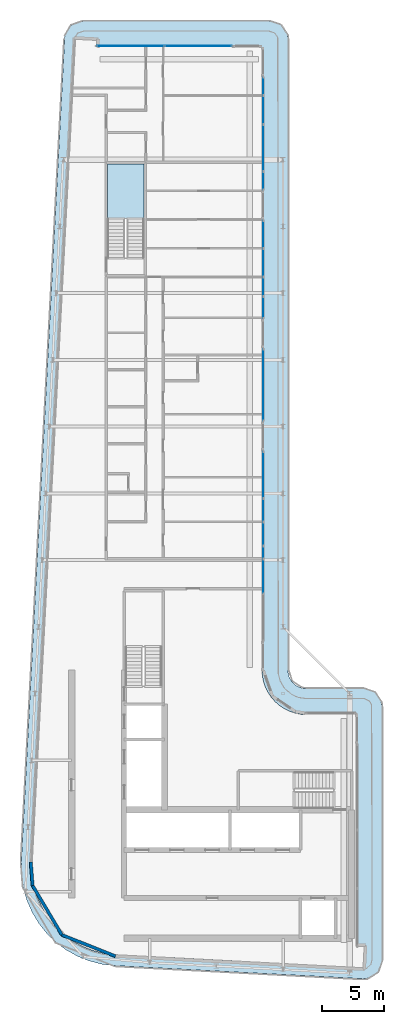
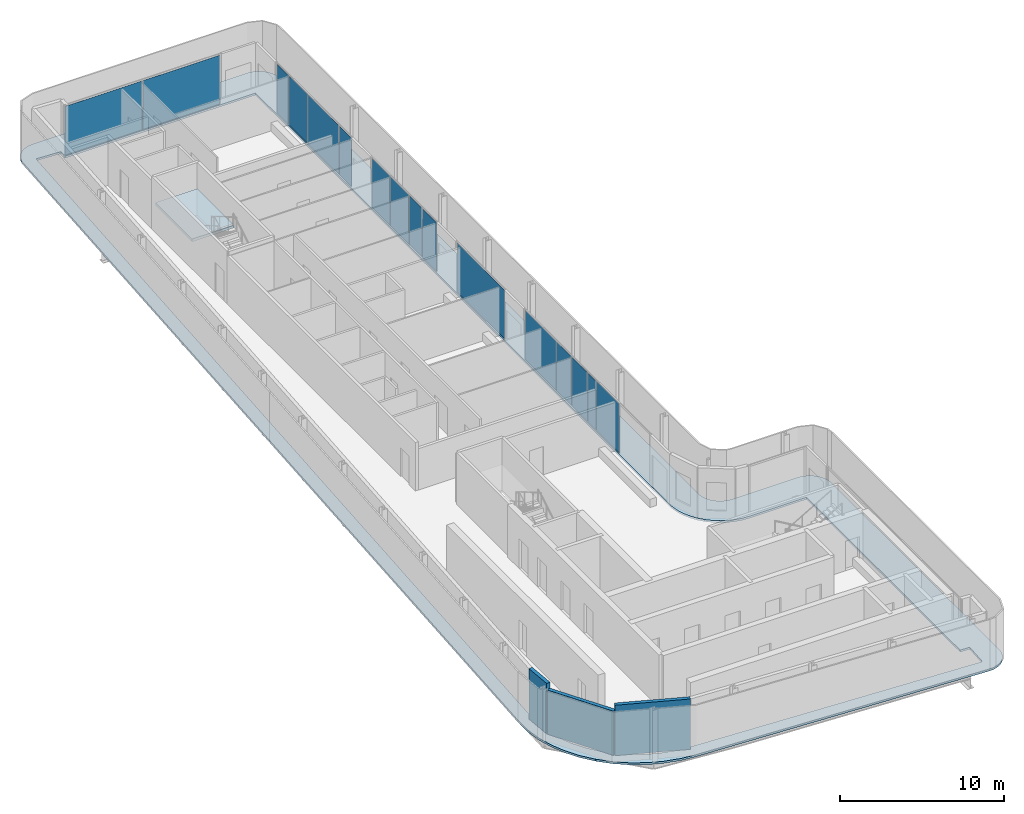
# One storey, part 8 of 18: 16 plates, 3 walls, 2 slabs, 9 elements without a shape of their own.
"""IFC4 building model written with IfcOpenShell, lengths in metres."""

from ifc_helpers import new_model, si_unit, direction, frame, frame_2d, origin, origin_2d, place, context, subcontext, project, spatial, polyline, rectangle, outline, extrude, material, layer, layer_set, type_object, element, aggregate, save


model = new_model("IFC4")

# Units and contexts
model_context = context("Model", 3, precision=1e-05, world=origin(), true_north=direction((0.0, 1.0)))
body_context = subcontext(model_context, "Body", "Model", "MODEL_VIEW")
ifc_project = project(units=[si_unit("LENGTHUNIT", "METRE"), si_unit("AREAUNIT", "SQUARE_METRE"), si_unit("VOLUMEUNIT", "CUBIC_METRE"), si_unit("PLANEANGLEUNIT", "RADIAN"), si_unit("MASSUNIT", "GRAM", prefix="KILO")], contexts=[model_context])

# Site, building, storey
site_placement = place(None, origin())
site = spatial("IfcSite", under=ifc_project, at=site_placement, CompositionType="ELEMENT")
building_placement = place(site_placement, origin())
building = spatial("IfcBuilding", under=site, at=building_placement, Name="Kheshtan School and Residences Tower", CompositionType="ELEMENT")
storey_placement = place(building_placement, frame((0.0, 0.0, 381.199951171875)))
storey = spatial("IfcBuildingStorey", under=building, at=storey_placement, Name="L90", CompositionType="ELEMENT", Elevation=381.199951171875)

# Curtain wall, plates
ifc_material_1 = material(Name="Clear low-e glass in thermally broken aluminium frame", Category="aluminium")
ifc_layer_1 = layer(ifc_material_1, 0.199951171875)
ifc_layer_set_1 = layer_set([ifc_layer_1], Name="Curtain wall CW-L")
curtain_wall_type = type_object("IfcCurtainWallType", Name="Curtain wall CW-L", PredefinedType="NOTDEFINED", material=ifc_layer_set_1)
curtain_wall_1_placement = place(storey_placement, origin())
curtain_wall_1 = element("IfcCurtainWall", 1, at=curtain_wall_1_placement, inside=storey, type_object=curtain_wall_type, Name="Curtain wall CWL7", PredefinedType="NOTDEFINED")
ifc_layer_2 = layer(ifc_material_1, 0.031982421875)
ifc_layer_set_2 = layer_set([ifc_layer_2], Name="CW-L glass panel")
plate_type = type_object("IfcPlateType", Name="CW-L glass panel", PredefinedType="CURTAIN_PANEL", material=ifc_layer_set_2)
plate_1_placement = place(storey_placement, frame((35.259033203125, 98.0, 0.0), z_axis=(0.0, 0.0, 1.0), x_axis=(1.0, 0.0, 0.0)))
plate_1 = element("IfcPlate", 2, at=plate_1_placement, type_object=plate_type, Name="CWL7 panel 1.1", PredefinedType="CURTAIN_PANEL", context=body_context, shape_type="SweptSolid", body=[
    extrude(rectangle(XDim=5.4140625, YDim=0.031982421875, at=origin_2d()), origin(), (0.0, 0.0, 1.0), 3.6298828125),
])
plate_2_placement = place(storey_placement, frame((40.73291015625, 98.0, 0.0), z_axis=(0.0, 0.0, 1.0), x_axis=(1.0, 0.0, 0.0)))
plate_2 = element("IfcPlate", 3, at=plate_2_placement, type_object=plate_type, Name="CWL7 panel 2.1", PredefinedType="CURTAIN_PANEL", context=body_context, shape_type="SweptSolid", body=[
    extrude(rectangle(XDim=5.4140625, YDim=0.031982421875, at=origin_2d()), origin(), (0.0, 0.0, 1.0), 3.6298828125),
])
aggregate(curtain_wall_1, [plate_1, plate_2])

curtain_wall_2_placement = place(storey_placement, origin())
curtain_wall_2 = element("IfcCurtainWall", 4, at=curtain_wall_2_placement, inside=storey, type_object=curtain_wall_type, Name="Curtain wall CWL8c", PredefinedType="NOTDEFINED")
plate_3_placement = place(storey_placement, frame((46.0, 94.735107421875, 0.0), z_axis=(0.0, 0.0, 1.0), x_axis=(0.0, -1.0, 0.0)))
plate_3 = element("IfcPlate", 5, at=plate_3_placement, type_object=plate_type, Name="CWL8c panel 1.1", PredefinedType="CURTAIN_PANEL", context=body_context, shape_type="SweptSolid", body=[
    extrude(rectangle(XDim=1.409912109375, YDim=0.031982421875, at=origin_2d()), origin(), (0.0, 0.0, 1.0), 3.6298828125),
])
plate_4_placement = place(storey_placement, frame((46.0, 92.826416015625, 0.0), z_axis=(0.0, 0.0, 1.0), x_axis=(0.0, -1.0, 0.0)))
plate_4 = element("IfcPlate", 6, at=plate_4_placement, type_object=plate_type, Name="CWL8c panel 2.1", PredefinedType="CURTAIN_PANEL", context=body_context, shape_type="SweptSolid", body=[
    extrude(rectangle(XDim=2.287109375, YDim=0.031982421875, at=origin_2d()), origin(), (0.0, 0.0, 1.0), 3.6298828125),
])
plate_5_placement = place(storey_placement, frame((46.0, 89.744384765625, 0.0), z_axis=(0.0, 0.0, 1.0), x_axis=(0.0, -1.0, 0.0)))
plate_5 = element("IfcPlate", 7, at=plate_5_placement, type_object=plate_type, Name="CWL8c panel 3.1", PredefinedType="CURTAIN_PANEL", context=body_context, shape_type="SweptSolid", body=[
    extrude(rectangle(XDim=3.757080078125, YDim=0.031982421875, at=origin_2d()), origin(), (0.0, 0.0, 1.0), 3.6298828125),
])
aggregate(curtain_wall_2, [plate_3, plate_4, plate_5])

# Curtain wall, plate
curtain_wall_3_placement = place(storey_placement, origin())
curtain_wall_3 = element("IfcCurtainWall", 8, at=curtain_wall_3_placement, inside=storey, type_object=curtain_wall_type, Name="Curtain wall CWL8a", PredefinedType="NOTDEFINED")
plate_6_placement = place(storey_placement, frame((46.0, 87.0859375, 0.0), z_axis=(0.0, 0.0, 1.0), x_axis=(0.0, -1.0, 0.0)))
plate_6 = element("IfcPlate", 9, at=plate_6_placement, type_object=plate_type, Name="CWL8a panel 1.1", PredefinedType="CURTAIN_PANEL", context=body_context, shape_type="SweptSolid", body=[
    extrude(rectangle(XDim=1.43994140625, YDim=0.031982421875, at=origin_2d()), origin(), (0.0, 0.0, 1.0), 3.6298828125),
])
aggregate(curtain_wall_3, [plate_6])

# Curtain wall, plates
curtain_wall_4_placement = place(storey_placement, origin())
curtain_wall_4 = element("IfcCurtainWall", 10, at=curtain_wall_4_placement, inside=storey, type_object=curtain_wall_type, Name="Curtain wall CWL8b", PredefinedType="NOTDEFINED")
plate_7_placement = place(storey_placement, frame((46.0, 82.75048828125, 0.0), z_axis=(0.0, 0.0, 1.0), x_axis=(0.0, -1.0, 0.0)))
plate_7 = element("IfcPlate", 11, at=plate_7_placement, type_object=plate_type, Name="CWL8b panel 1.1", PredefinedType="CURTAIN_PANEL", context=body_context, shape_type="SweptSolid", body=[
    extrude(rectangle(XDim=2.19091796875, YDim=0.031982421875, at=origin_2d()), origin(), (0.0, 0.0, 1.0), 3.6298828125),
])
plate_8_placement = place(storey_placement, frame((46.0, 80.46240234375, 0.0), z_axis=(0.0, 0.0, 1.0), x_axis=(0.0, -1.0, 0.0)))
plate_8 = element("IfcPlate", 12, at=plate_8_placement, type_object=plate_type, Name="CWL8b panel 2.1", PredefinedType="CURTAIN_PANEL", context=body_context, shape_type="SweptSolid", body=[
    extrude(rectangle(XDim=2.264892578125, YDim=0.031982421875, at=origin_2d()), origin(), (0.0, 0.0, 1.0), 3.6298828125),
])
plate_9_placement = place(storey_placement, frame((46.0, 78.52099609375, 0.0), z_axis=(0.0, 0.0, 1.0), x_axis=(0.0, -1.0, 0.0)))
plate_9 = element("IfcPlate", 13, at=plate_9_placement, type_object=plate_type, Name="CWL8b panel 3.1", PredefinedType="CURTAIN_PANEL", context=body_context, shape_type="SweptSolid", body=[
    extrude(rectangle(XDim=1.498046875, YDim=0.031982421875, at=origin_2d()), origin(), (0.0, 0.0, 1.0), 3.6298828125),
])
aggregate(curtain_wall_4, [plate_7, plate_8, plate_9])

# Curtain wall, plate
curtain_wall_5_placement = place(storey_placement, origin())
curtain_wall_5 = element("IfcCurtainWall", 14, at=curtain_wall_5_placement, inside=storey, type_object=curtain_wall_type, Name="Curtain wall CWL8e", PredefinedType="NOTDEFINED")
plate_10_placement = place(storey_placement, frame((46.0, 76.842041015625, 0.0), z_axis=(0.0, 0.0, 1.0), x_axis=(0.0, -1.0, 0.0)))
plate_10 = element("IfcPlate", 15, at=plate_10_placement, type_object=plate_type, Name="CWL8e panel 1.1", PredefinedType="CURTAIN_PANEL", context=body_context, shape_type="SweptSolid", body=[
    extrude(rectangle(XDim=1.739990234375, YDim=0.031982421875, at=origin_2d()), origin(), (0.0, 0.0, 1.0), 3.6298828125),
])
aggregate(curtain_wall_5, [plate_10])

curtain_wall_6_placement = place(storey_placement, origin())
curtain_wall_6 = element("IfcCurtainWall", 16, at=curtain_wall_6_placement, inside=storey, type_object=curtain_wall_type, Name="Curtain wall CWL8f", PredefinedType="NOTDEFINED")
plate_11_placement = place(storey_placement, frame((46.0, 70.56494140625, 0.0), z_axis=(0.0, 0.0, 1.0), x_axis=(0.0, -1.0, 0.0)))
plate_11 = element("IfcPlate", 17, at=plate_11_placement, type_object=plate_type, Name="CWL8f panel 1.1", PredefinedType="CURTAIN_PANEL", context=body_context, shape_type="SweptSolid", body=[
    extrude(rectangle(XDim=5.77392578125, YDim=0.031982421875, at=origin_2d()), origin(), (0.0, 0.0, 1.0), 3.6298828125),
])
aggregate(curtain_wall_6, [plate_11])

# Curtain wall, plates
curtain_wall_7_placement = place(storey_placement, origin())
curtain_wall_7 = element("IfcCurtainWall", 18, at=curtain_wall_7_placement, inside=storey, type_object=curtain_wall_type, Name="Curtain wall CWL8c", PredefinedType="NOTDEFINED")
plate_12_placement = place(storey_placement, frame((46.0, 63.279541015625, 0.0), z_axis=(0.0, 0.0, 1.0), x_axis=(0.0, -1.0, 0.0)))
plate_12 = element("IfcPlate", 19, at=plate_12_placement, type_object=plate_type, Name="CWL8c panel 1.1", PredefinedType="CURTAIN_PANEL", context=body_context, shape_type="SweptSolid", body=[
    extrude(rectangle(XDim=3.757080078125, YDim=0.031982421875, at=origin_2d()), origin(), (0.0, 0.0, 1.0), 3.6298828125),
])
plate_13_placement = place(storey_placement, frame((46.0, 60.435546875, 0.0), z_axis=(0.0, 0.0, 1.0), x_axis=(0.0, -1.0, 0.0)))
plate_13 = element("IfcPlate", 20, at=plate_13_placement, type_object=plate_type, Name="CWL8c panel 2.1", PredefinedType="CURTAIN_PANEL", context=body_context, shape_type="SweptSolid", body=[
    extrude(rectangle(XDim=1.81103515625, YDim=0.031982421875, at=origin_2d()), origin(), (0.0, 0.0, 1.0), 3.6298828125),
])
plate_14_placement = place(storey_placement, frame((46.0, 58.527099609375, 0.0), z_axis=(0.0, 0.0, 1.0), x_axis=(0.0, -1.0, 0.0)))
plate_14 = element("IfcPlate", 21, at=plate_14_placement, type_object=plate_type, Name="CWL8c panel 3.1", PredefinedType="CURTAIN_PANEL", context=body_context, shape_type="SweptSolid", body=[
    extrude(rectangle(XDim=1.885986328125, YDim=0.031982421875, at=origin_2d()), origin(), (0.0, 0.0, 1.0), 3.6298828125),
])
aggregate(curtain_wall_7, [plate_12, plate_13, plate_14])

curtain_wall_8_placement = place(storey_placement, origin())
curtain_wall_8 = element("IfcCurtainWall", 22, at=curtain_wall_8_placement, inside=storey, type_object=curtain_wall_type, Name="Curtain wall CWL8c", PredefinedType="NOTDEFINED")
plate_15_placement = place(storey_placement, frame((46.0, 57.027099609375, 0.0), z_axis=(0.0, 0.0, 1.0), x_axis=(0.0, -1.0, 0.0)))
plate_15 = element("IfcPlate", 23, at=plate_15_placement, type_object=plate_type, Name="CWL8c panel 1.1", PredefinedType="CURTAIN_PANEL", context=body_context, shape_type="SweptSolid", body=[
    extrude(rectangle(XDim=0.993896484375, YDim=0.031982421875, at=origin_2d()), origin(), (0.0, 0.0, 1.0), 3.6298828125),
])
plate_16_placement = place(storey_placement, frame((46.0, 55.08837890625, 0.0), z_axis=(0.0, 0.0, 1.0), x_axis=(0.0, -1.0, 0.0)))
plate_16 = element("IfcPlate", 24, at=plate_16_placement, type_object=plate_type, Name="CWL8c panel 2.1", PredefinedType="CURTAIN_PANEL", context=body_context, shape_type="SweptSolid", body=[
    extrude(rectangle(XDim=2.762939453125, YDim=0.031982421875, at=origin_2d()), origin(), (0.0, 0.0, 1.0), 3.6298828125),
])
aggregate(curtain_wall_8, [plate_15, plate_16])

# Slab
ifc_material_2 = material(Name="Concrete C40/50", Category="concrete")
ifc_layer_3 = layer(ifc_material_2, 0.14990234375)
ifc_layer_set_3 = layer_set([ifc_layer_3], Name="Loggia balcony slab 150 Concrete C40/50")
slab_type_1 = type_object("IfcSlabType", Name="Loggia balcony slab 150 Concrete C40/50", PredefinedType="FLOOR", material=ifc_layer_set_3)
slab_1_placement = place(storey_placement, frame((0.0, 0.0, -0.14990234375)))
element("IfcSlab", 25, at=slab_1_placement, inside=storey, type_object=slab_type_1, Name="Loggia balcony slab L90", PredefinedType="FLOOR", context=body_context, shape_type="SweptSolid", body=[
    extrude(outline(polyline([(28.4580078125, 26.222900390625), (28.45703125, 26.222900390625), (28.45703125, 26.22412109375), (28.4560546875, 26.22412109375), (27.81494140625, 27.0390625), (27.281005859375, 27.93798828125), (26.867919921875, 28.89990234375), (26.583984375, 29.89990234375), (26.583984375, 29.906982421875), (26.43408203125, 30.943115234375), (26.419921875, 31.989013671875), (29.925048828125, 98.5791015625), (29.930908203125, 98.626953125), (29.930908203125, 98.6279296875), (29.929931640625, 98.6279296875), (29.929931640625, 98.62890625), (29.928955078125, 98.62890625), (29.928955078125, 98.6298828125), (29.927978515625, 98.6298828125), (29.927978515625, 98.631103515625), (29.927001953125, 98.631103515625), (29.927001953125, 98.632080078125), (29.927001953125, 98.633056640625), (29.945068359375, 98.781005859375), (29.945068359375, 98.783935546875), (29.945068359375, 98.784912109375), (29.946044921875, 98.784912109375), (29.946044921875, 98.785888671875), (29.947021484375, 98.785888671875), (29.947021484375, 98.787109375), (29.947998046875, 98.787109375), (29.948974609375, 98.787109375), (29.948974609375, 98.7880859375), (29.949951171875, 98.7880859375), (29.949951171875, 98.7890625), (29.949951171875, 98.791015625), (30.0029296875, 98.98388671875), (30.083984375, 99.175048828125), (30.18896484375, 99.35302734375), (30.31103515625, 99.507080078125), (30.31201171875, 99.507080078125), (30.31201171875, 99.508056640625), (30.31298828125, 99.508056640625), (30.31298828125, 99.509033203125), (30.31396484375, 99.509033203125), (30.31396484375, 99.510009765625), (30.31494140625, 99.510009765625), (30.31494140625, 99.510986328125), (30.31591796875, 99.510986328125), (30.31591796875, 99.511962890625), (30.31689453125, 99.511962890625), (30.31689453125, 99.512939453125), (30.318115234375, 99.512939453125), (30.320068359375, 99.512939453125), (30.321044921875, 99.512939453125), (30.321044921875, 99.513916015625), (30.468017578125, 99.656982421875), (30.468994140625, 99.656982421875), (30.468994140625, 99.657958984375), (30.469970703125, 99.657958984375), (30.469970703125, 99.658935546875), (30.470947265625, 99.658935546875), (30.470947265625, 99.659912109375), (30.471923828125, 99.659912109375), (30.471923828125, 99.660888671875), (30.472900390625, 99.660888671875), (30.472900390625, 99.662109375), (30.47412109375, 99.662109375), (30.47412109375, 99.6630859375), (30.47509765625, 99.6630859375), (30.47509765625, 99.6640625), (30.635986328125, 99.777099609375), (30.820068359375, 99.873046875), (31.007080078125, 99.943115234375), (31.013916015625, 99.943115234375), (31.217041015625, 99.986083984375), (31.423095703125, 100.0), (46.5, 100.0), (46.696044921875, 99.987060546875), (46.887939453125, 99.948974609375), (46.89501953125, 99.948974609375), (47.073974609375, 99.885986328125), (47.242919921875, 99.801025390625), (47.243896484375, 99.801025390625), (47.2470703125, 99.801025390625), (47.248046875, 99.801025390625), (47.248046875, 99.802001953125), (47.2490234375, 99.802001953125), (47.2490234375, 99.802978515625), (47.25, 99.802978515625), (47.2529296875, 99.802978515625), (47.25390625, 99.802978515625), (47.25390625, 99.802001953125), (47.2548828125, 99.802001953125), (47.2548828125, 99.801025390625), (47.256103515625, 99.801025390625), (47.256103515625, 99.800048828125), (47.257080078125, 99.800048828125), (47.257080078125, 99.799072265625), (47.258056640625, 99.799072265625), (47.258056640625, 99.798095703125), (47.412109375, 99.696044921875), (47.4130859375, 99.696044921875), (47.4130859375, 99.695068359375), (47.4140625, 99.695068359375), (47.4140625, 99.694091796875), (47.4140625, 99.68994140625), (47.4140625, 99.68896484375), (47.4150390625, 99.68896484375), (47.4150390625, 99.68798828125), (47.416015625, 99.68798828125), (47.416015625, 99.68701171875), (47.4169921875, 99.68701171875), (47.4169921875, 99.68603515625), (47.554931640625, 99.568115234375), (47.554931640625, 99.56689453125), (47.555908203125, 99.56689453125), (47.555908203125, 99.56591796875), (47.556884765625, 99.56591796875), (47.556884765625, 99.56494140625), (47.55810546875, 99.56494140625), (47.55810546875, 99.56396484375), (47.55908203125, 99.56396484375), (47.55908203125, 99.56298828125), (47.56005859375, 99.56298828125), (47.56005859375, 99.56201171875), (47.56103515625, 99.56201171875), (47.56201171875, 99.56103515625), (47.56201171875, 99.56005859375), (47.56298828125, 99.56005859375), (47.56298828125, 99.55908203125), (47.56396484375, 99.55908203125), (47.56396484375, 99.55810546875), (47.56494140625, 99.55810546875), (47.56494140625, 99.556884765625), (47.56591796875, 99.556884765625), (47.56591796875, 99.555908203125), (47.56689453125, 99.555908203125), (47.56689453125, 99.554931640625), (47.568115234375, 99.554931640625), (47.68505859375, 99.41796875), (47.68603515625, 99.41796875), (47.68603515625, 99.4169921875), (47.68701171875, 99.4169921875), (47.68701171875, 99.416015625), (47.68798828125, 99.416015625), (47.68798828125, 99.4150390625), (47.68896484375, 99.4150390625), (47.68896484375, 99.4140625), (47.68994140625, 99.4140625), (47.694091796875, 99.4140625), (47.695068359375, 99.4140625), (47.695068359375, 99.4130859375), (47.696044921875, 99.4130859375), (47.696044921875, 99.412109375), (47.797119140625, 99.259033203125), (47.798095703125, 99.259033203125), (47.798095703125, 99.258056640625), (47.799072265625, 99.258056640625), (47.799072265625, 99.257080078125), (47.800048828125, 99.257080078125), (47.800048828125, 99.256103515625), (47.801025390625, 99.256103515625), (47.801025390625, 99.2548828125), (47.802001953125, 99.2548828125), (47.802001953125, 99.25390625), (47.802978515625, 99.25390625), (47.802978515625, 99.2529296875), (47.802978515625, 99.25), (47.802978515625, 99.2490234375), (47.802001953125, 99.2490234375), (47.802001953125, 99.248046875), (47.801025390625, 99.248046875), (47.801025390625, 99.2470703125), (47.801025390625, 99.243896484375), (47.801025390625, 99.242919921875), (47.885986328125, 99.073974609375), (47.948974609375, 98.89501953125), (47.948974609375, 98.887939453125), (47.987060546875, 98.696044921875), (48.0, 98.5), (48.0, 47.5), (48.012939453125, 47.303955078125), (48.051025390625, 47.113037109375), (48.051025390625, 47.10693359375), (48.051025390625, 47.10595703125), (48.114013671875, 46.926025390625), (48.200927734375, 46.75), (48.31005859375, 46.5869140625), (48.431884765625, 46.444091796875), (48.43310546875, 46.444091796875), (48.43310546875, 46.443115234375), (48.43408203125, 46.443115234375), (48.43408203125, 46.44189453125), (48.43505859375, 46.44189453125), (48.43505859375, 46.44091796875), (48.43603515625, 46.44091796875), (48.43603515625, 46.43994140625), (48.43701171875, 46.43994140625), (48.43701171875, 46.43896484375), (48.43798828125, 46.43896484375), (48.43896484375, 46.43798828125), (48.43896484375, 46.43701171875), (48.43994140625, 46.43701171875), (48.43994140625, 46.43603515625), (48.44091796875, 46.43603515625), (48.44091796875, 46.43505859375), (48.44189453125, 46.43505859375), (48.44189453125, 46.43408203125), (48.443115234375, 46.43408203125), (48.443115234375, 46.43310546875), (48.444091796875, 46.43310546875), (48.444091796875, 46.431884765625), (48.5869140625, 46.31005859375), (48.75, 46.200927734375), (48.926025390625, 46.114013671875), (49.10595703125, 46.051025390625), (49.10693359375, 46.051025390625), (49.113037109375, 46.051025390625), (49.303955078125, 46.012939453125), (49.5, 46.0), (54.10009765625, 46.0), (54.2958984375, 45.987060546875), (54.488037109375, 45.948974609375), (54.4951171875, 45.948974609375), (54.674072265625, 45.885986328125), (54.842041015625, 45.801025390625), (54.843017578125, 45.801025390625), (54.846923828125, 45.801025390625), (54.847900390625, 45.801025390625), (54.847900390625, 45.802001953125), (54.84912109375, 45.802001953125), (54.84912109375, 45.802978515625), (54.85009765625, 45.802978515625), (54.85302734375, 45.802978515625), (54.85400390625, 45.802978515625), (54.85400390625, 45.802001953125), (54.85498046875, 45.802001953125), (54.85498046875, 45.801025390625), (54.85595703125, 45.801025390625), (54.85595703125, 45.800048828125), (54.85693359375, 45.800048828125), (54.85693359375, 45.799072265625), (54.85791015625, 45.799072265625), (54.85791015625, 45.798095703125), (54.85888671875, 45.798095703125), (54.85888671875, 45.797119140625), (54.860107421875, 45.797119140625), (54.860107421875, 45.7958984375), (55.011962890625, 45.696044921875), (55.012939453125, 45.696044921875), (55.012939453125, 45.695068359375), (55.013916015625, 45.695068359375), (55.013916015625, 45.694091796875), (55.013916015625, 45.68994140625), (55.013916015625, 45.68896484375), (55.014892578125, 45.68896484375), (55.014892578125, 45.68798828125), (55.01611328125, 45.68798828125), (55.01611328125, 45.68701171875), (55.01708984375, 45.68701171875), (55.01708984375, 45.68603515625), (55.01806640625, 45.68603515625), (55.01806640625, 45.68505859375), (55.01904296875, 45.68505859375), (55.01904296875, 45.68408203125), (55.155029296875, 45.568115234375), (55.155029296875, 45.56689453125), (55.156005859375, 45.56689453125), (55.156005859375, 45.56591796875), (55.156982421875, 45.56591796875), (55.156982421875, 45.56494140625), (55.157958984375, 45.56494140625), (55.157958984375, 45.56396484375), (55.158935546875, 45.56396484375), (55.158935546875, 45.56298828125), (55.159912109375, 45.56298828125), (55.159912109375, 45.56201171875), (55.160888671875, 45.56201171875), (55.162109375, 45.56103515625), (55.162109375, 45.56005859375), (55.1630859375, 45.56005859375), (55.1630859375, 45.55908203125), (55.1640625, 45.55908203125), (55.1640625, 45.55810546875), (55.1650390625, 45.55810546875), (55.1650390625, 45.556884765625), (55.166015625, 45.556884765625), (55.166015625, 45.555908203125), (55.1669921875, 45.555908203125), (55.1669921875, 45.554931640625), (55.16796875, 45.554931640625), (55.281982421875, 45.4208984375), (55.282958984375, 45.4208984375), (55.282958984375, 45.419921875), (55.283935546875, 45.419921875), (55.283935546875, 45.4189453125), (55.284912109375, 45.4189453125), (55.284912109375, 45.41796875), (55.285888671875, 45.41796875), (55.285888671875, 45.4169921875), (55.287109375, 45.4169921875), (55.287109375, 45.416015625), (55.2880859375, 45.416015625), (55.2880859375, 45.4150390625), (55.2890625, 45.4150390625), (55.2890625, 45.4140625), (55.2900390625, 45.4140625), (55.2939453125, 45.4140625), (55.294921875, 45.4140625), (55.294921875, 45.4130859375), (55.2958984375, 45.4130859375), (55.2958984375, 45.412109375), (55.39404296875, 45.261962890625), (55.39501953125, 45.261962890625), (55.39501953125, 45.260986328125), (55.39599609375, 45.260986328125), (55.39599609375, 45.260009765625), (55.39697265625, 45.260009765625), (55.39697265625, 45.259033203125), (55.39794921875, 45.259033203125), (55.39794921875, 45.258056640625), (55.39892578125, 45.258056640625), (55.39892578125, 45.257080078125), (55.39990234375, 45.257080078125), (55.39990234375, 45.256103515625), (55.40087890625, 45.256103515625), (55.40087890625, 45.2548828125), (55.402099609375, 45.2548828125), (55.402099609375, 45.25390625), (55.403076171875, 45.25390625), (55.403076171875, 45.2529296875), (55.403076171875, 45.25), (55.403076171875, 45.2490234375), (55.402099609375, 45.2490234375), (55.402099609375, 45.248046875), (55.40087890625, 45.248046875), (55.40087890625, 45.2470703125), (55.40087890625, 45.240966796875), (55.40087890625, 45.239990234375), (55.486083984375, 45.073974609375), (55.549072265625, 44.89501953125), (55.549072265625, 44.887939453125), (55.5869140625, 44.696044921875), (55.60009765625, 44.5), (55.60009765625, 24.02294921875), (55.5859375, 23.821044921875), (55.544921875, 23.6220703125), (55.544921875, 23.614990234375), (55.47802734375, 23.430908203125), (55.385986328125, 23.25), (55.27099609375, 23.0849609375), (55.27099609375, 23.083984375), (55.27099609375, 23.0830078125), (55.27099609375, 23.08203125), (55.27197265625, 23.08203125), (55.27197265625, 23.0810546875), (55.27197265625, 23.0791015625), (55.27197265625, 23.077880859375), (55.27099609375, 23.077880859375), (55.27099609375, 23.076904296875), (55.137939453125, 22.93408203125), (55.135009765625, 22.930908203125), (55.134033203125, 22.930908203125), (55.134033203125, 22.929931640625), (55.133056640625, 22.929931640625), (55.131103515625, 22.929931640625), (55.1298828125, 22.929931640625), (55.1298828125, 22.930908203125), (55.12890625, 22.930908203125), (55.1279296875, 22.930908203125), (55.126953125, 22.930908203125), (54.97607421875, 22.805908203125), (54.803955078125, 22.698974609375), (54.618896484375, 22.615966796875), (54.430908203125, 22.55908203125), (54.424072265625, 22.55908203125), (54.22412109375, 22.528076171875), (54.02099609375, 22.52490234375), (33.989013671875, 23.580078125), (33.94189453125, 23.5859375), (33.94091796875, 23.5859375), (33.93994140625, 23.5859375), (33.93994140625, 23.5849609375), (33.93896484375, 23.5849609375), (33.93896484375, 23.583984375), (33.93798828125, 23.583984375), (33.93798828125, 23.5830078125), (33.93701171875, 23.5830078125), (33.93701171875, 23.58203125), (33.93603515625, 23.58203125), (33.93505859375, 23.58203125), (32.952880859375, 23.697998046875), (32.949951171875, 23.697998046875), (32.948974609375, 23.697998046875), (32.948974609375, 23.698974609375), (32.947998046875, 23.698974609375), (32.947998046875, 23.699951171875), (32.947021484375, 23.699951171875), (32.947021484375, 23.700927734375), (32.947021484375, 23.702880859375), (32.947021484375, 23.7041015625), (32.946044921875, 23.7041015625), (32.946044921875, 23.705078125), (32.945068359375, 23.705078125), (32.944091796875, 23.705078125), (31.93603515625, 23.9609375), (31.928955078125, 23.9609375), (30.964111328125, 24.34912109375), (30.051025390625, 24.860107421875), (29.218994140625, 25.47900390625), (29.218994140625, 25.47998046875), (29.218017578125, 25.47998046875), (29.218017578125, 25.48095703125), (29.217041015625, 25.48095703125), (29.217041015625, 25.48193359375), (29.216064453125, 25.48193359375), (29.216064453125, 25.48291015625), (29.215087890625, 25.48291015625), (29.215087890625, 25.48388671875), (29.214111328125, 25.48388671875), (29.214111328125, 25.485107421875), (29.212890625, 25.485107421875), (29.212890625, 25.486083984375), (29.2119140625, 25.486083984375), (28.466064453125, 26.217041015625), (28.466064453125, 26.218017578125), (28.465087890625, 26.218017578125), (28.462890625, 26.218017578125), (28.4619140625, 26.218017578125), (28.4619140625, 26.218994140625), (28.4609375, 26.218994140625), (28.4609375, 26.219970703125), (28.4599609375, 26.219970703125), (28.4599609375, 26.220947265625), (28.458984375, 26.220947265625), (28.458984375, 26.221923828125), (28.4580078125, 26.221923828125), (28.4580078125, 26.222900390625)]), holes=[polyline([(29.12890625, 26.824951171875), (29.12890625, 26.823974609375), (29.1298828125, 26.823974609375), (29.1298828125, 26.822998046875), (29.131103515625, 26.822998046875), (29.131103515625, 26.822021484375), (29.132080078125, 26.822021484375), (29.132080078125, 26.821044921875), (29.133056640625, 26.821044921875), (29.133056640625, 26.820068359375), (29.134033203125, 26.820068359375), (29.794921875, 26.173095703125), (29.794921875, 26.172119140625), (29.7958984375, 26.172119140625), (29.798095703125, 26.172119140625), (29.799072265625, 26.172119140625), (29.799072265625, 26.1708984375), (29.800048828125, 26.1708984375), (29.800048828125, 26.169921875), (29.801025390625, 26.169921875), (29.801025390625, 26.1689453125), (29.802001953125, 26.1689453125), (29.802001953125, 26.16796875), (29.802978515625, 26.16796875), (29.802978515625, 26.1669921875), (29.803955078125, 26.1669921875), (29.803955078125, 26.166015625), (30.541015625, 25.616943359375), (31.35205078125, 25.1630859375), (32.208984375, 24.819091796875), (32.2099609375, 24.819091796875), (32.216064453125, 24.819091796875), (33.114990234375, 24.590087890625), (34.06591796875, 24.47705078125), (54.0380859375, 23.425048828125), (54.06494140625, 23.426025390625), (54.06591796875, 23.426025390625), (54.06689453125, 23.426025390625), (54.06689453125, 23.427001953125), (54.068115234375, 23.427001953125), (54.068115234375, 23.427978515625), (54.068115234375, 23.428955078125), (54.157958984375, 25.117919921875), (54.157958984375, 25.118896484375), (54.157958984375, 25.1201171875), (54.156982421875, 25.1201171875), (54.156982421875, 25.12109375), (54.156005859375, 25.12109375), (54.155029296875, 25.12109375), (53.5009765625, 25.156005859375), (53.5, 25.156005859375), (53.5, 25.156982421875), (53.5, 43.89794921875), (53.5, 43.89892578125), (53.4990234375, 43.89892578125), (53.4990234375, 43.89990234375), (53.498046875, 43.89990234375), (49.429931640625, 43.89990234375), (49.030029296875, 43.927001953125), (48.569091796875, 44.01806640625), (48.56201171875, 44.01806640625), (48.1201171875, 44.169921875), (47.697021484375, 44.37890625), (47.30810546875, 44.638916015625), (46.95703125, 44.944091796875), (46.95703125, 44.945068359375), (46.9560546875, 44.945068359375), (46.9560546875, 44.946044921875), (46.955078125, 44.946044921875), (46.955078125, 44.947021484375), (46.9541015625, 44.947021484375), (46.9541015625, 44.947998046875), (46.952880859375, 44.947998046875), (46.952880859375, 44.948974609375), (46.951904296875, 44.948974609375), (46.951904296875, 44.949951171875), (46.951904296875, 44.950927734375), (46.950927734375, 44.950927734375), (46.950927734375, 44.951904296875), (46.949951171875, 44.951904296875), (46.948974609375, 44.951904296875), (46.948974609375, 44.952880859375), (46.947998046875, 44.952880859375), (46.947998046875, 44.9541015625), (46.947021484375, 44.9541015625), (46.947021484375, 44.955078125), (46.946044921875, 44.955078125), (46.946044921875, 44.9560546875), (46.945068359375, 44.9560546875), (46.945068359375, 44.95703125), (46.944091796875, 44.95703125), (46.638916015625, 45.30810546875), (46.37890625, 45.697021484375), (46.169921875, 46.1201171875), (46.01806640625, 46.56201171875), (46.01806640625, 46.569091796875), (45.927001953125, 47.030029296875), (45.89990234375, 47.429931640625), (45.89990234375, 97.89794921875), (45.89990234375, 97.89892578125), (45.89892578125, 97.89892578125), (45.89892578125, 97.89990234375), (45.89794921875, 97.89990234375), (32.492919921875, 97.89990234375), (32.491943359375, 97.89990234375), (32.52099609375, 98.43896484375), (32.52099609375, 98.43994140625), (32.52099609375, 98.44091796875), (32.52001953125, 98.44091796875), (32.52001953125, 98.44189453125), (32.51904296875, 98.44189453125), (32.51806640625, 98.44189453125), (30.8291015625, 98.531982421875), (30.827880859375, 98.531982421875), (30.826904296875, 98.531982421875), (30.826904296875, 98.531005859375), (30.825927734375, 98.531005859375), (30.825927734375, 98.530029296875), (30.825927734375, 98.529052734375), (30.822021484375, 98.5009765625), (27.320068359375, 31.970947265625), (27.3330078125, 31.013916015625), (27.466064453125, 30.093994140625), (27.466064453125, 30.087890625), (27.466064453125, 30.0869140625), (27.718017578125, 29.200927734375), (28.0849609375, 28.345947265625), (28.55908203125, 27.550048828125), (29.126953125, 26.825927734375), (29.1279296875, 26.825927734375), (29.1279296875, 26.824951171875), (29.12890625, 26.824951171875)])]), origin(), (0.0, 0.0, 1.0), 0.14990234375),
])

# Stair, slab
stair_type = type_object("IfcStairType", Name="Exit stair, half-turn", PredefinedType="HALF_TURN_STAIR", material=ifc_material_2)
stair_placement = place(storey_placement, origin())
stair = element("IfcStair", 26, at=stair_placement, inside=storey, type_object=stair_type, Name="L90 Protected Exit Stair ST3", PredefinedType="HALF_TURN_STAIR")
ifc_layer_4 = layer(ifc_material_2, 0.199951171875)
ifc_layer_set_4 = layer_set([ifc_layer_4], Name="Stair landing 200 Concrete C40/50")
slab_type_2 = type_object("IfcSlabType", Name="Stair landing 200 Concrete C40/50", PredefinedType="LANDING", material=ifc_layer_set_4)
slab_2_placement = place(storey_placement, frame((0.0, 0.0, 1.75)))
slab_2 = element("IfcSlab", 27, at=slab_2_placement, type_object=slab_type_2, Name="ST3 landing 1", PredefinedType="LANDING", context=body_context, shape_type="SweptSolid", body=[
    extrude(outline(polyline([(36.35009765625, 83.97998046875), (36.35009765625, 88.4599609375), (33.39990234375, 88.4599609375), (33.39990234375, 83.97998046875), (36.35009765625, 83.97998046875)])), origin(), (0.0, 0.0, 1.0), 0.199951171875),
])
aggregate(stair, [slab_2])

# Walls
ifc_material_3 = material(Name="Concrete C40/50 with ceramic cladding and mineral wool insulation", Category="concrete")
ifc_layer_5 = layer(ifc_material_3, 0.25)
ifc_layer_set_5 = layer_set([ifc_layer_5], Name="External wall 250 ceramic clad")
wall_type = type_object("IfcWallType", Name="External wall 250 ceramic clad", PredefinedType="SOLIDWALL", material=ifc_layer_set_5)
wall_1_placement = place(storey_placement, frame((34.0390625, 24.35302734375, 0.0), z_axis=(0.0, 0.0, 1.0), x_axis=(-0.929352825399, 0.369192803184, 0.0)))
element("IfcWall", 28, at=wall_1_placement, inside=storey, type_object=wall_type, Name="External wall L90 1", PredefinedType="SOLIDWALL", context=body_context, shape_type="SweptSolid", body=[
    extrude(rectangle(XDim=4.656005859375, YDim=0.25, at=frame_2d((2.328125, 0.0))), origin(), (0.0, 0.0, 1.0), 3.75),
])
wall_2_placement = place(storey_placement, frame((29.7119140625, 26.072021484375, 0.0), z_axis=(0.0, 0.0, 1.0), x_axis=(-0.511028049012, 0.859564036662, 0.0)))
element("IfcWall", 29, at=wall_2_placement, inside=storey, type_object=wall_type, Name="External wall L90 2", PredefinedType="SOLIDWALL", context=body_context, shape_type="SweptSolid", body=[
    extrude(rectangle(XDim=4.633544921875, YDim=0.25, at=frame_2d((2.31689453125, 0.0))), origin(), (0.0, 0.0, 1.0), 3.29296875),
])
wall_3_placement = place(storey_placement, frame((27.343994140625, 30.054931640625, 0.0), z_axis=(0.0, 0.0, 1.0), x_axis=(-0.077571675317, 0.99698677784, 0.0)))
element("IfcWall", 30, at=wall_3_placement, inside=storey, type_object=wall_type, Name="External wall L90 3", PredefinedType="SOLIDWALL", context=body_context, shape_type="SweptSolid", body=[
    extrude(rectangle(XDim=1.919921875, YDim=0.25, at=frame_2d((0.9599609375, 0.0))), origin(), (0.0, 0.0, 1.0), 3.75),
])

save(model, "model.ifc")
